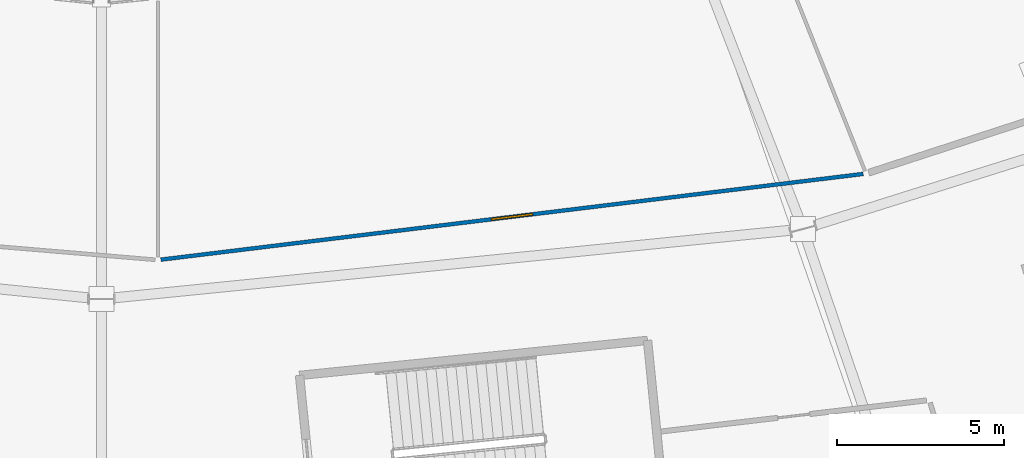
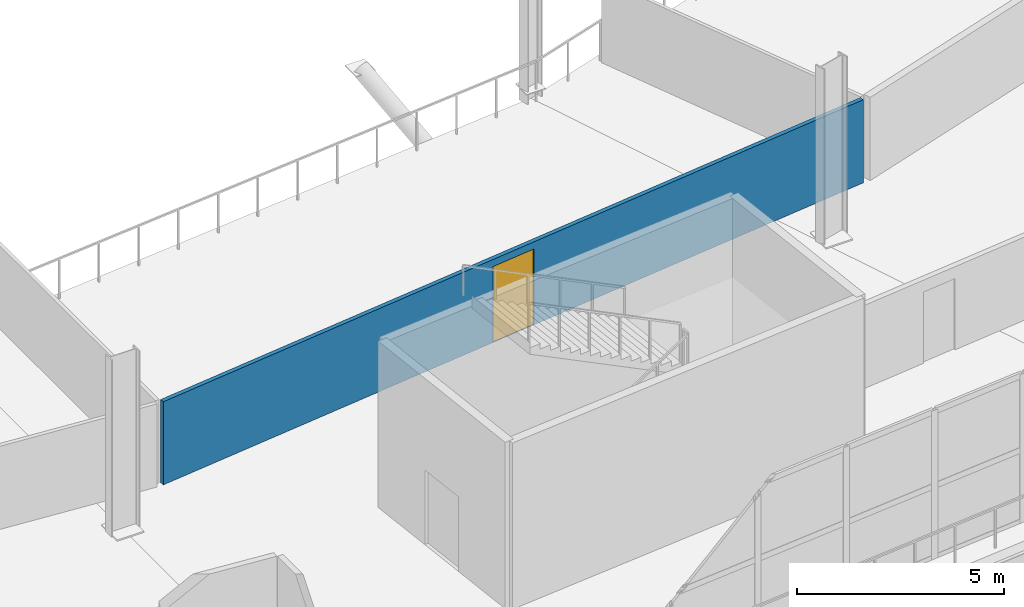
# One storey, part 118 of 168: 1 door, 1 wall, 1 opening.
"""IFC4 building model written with IfcOpenShell, lengths in metres."""

from ifc_helpers import new_model, si_unit, direction, frame, frame_2d, origin, place, context, subcontext, project, spatial, rectangle, extrude, material, layer, layer_set, type_object, element, fill, save


model = new_model("IFC4")

# Units and contexts
model_context = context("Model", 3, precision=1e-05, world=origin(), true_north=direction((0.0, 1.0)))
body_context = subcontext(model_context, "Body", "Model", "MODEL_VIEW")
ifc_project = project(units=[si_unit("LENGTHUNIT", "METRE"), si_unit("AREAUNIT", "SQUARE_METRE"), si_unit("VOLUMEUNIT", "CUBIC_METRE"), si_unit("PLANEANGLEUNIT", "RADIAN"), si_unit("MASSUNIT", "GRAM", prefix="KILO")], contexts=[model_context])

# Site, building, storey
site_placement = place(None, origin())
site = spatial("IfcSite", under=ifc_project, at=site_placement, CompositionType="ELEMENT")
building_placement = place(site_placement, origin())
building = spatial("IfcBuilding", under=site, at=building_placement, Name="Zlatoyarsky Gate Stadium", CompositionType="ELEMENT")
storey_placement = place(building_placement, frame((0.0, 0.0, 15.60009765625)))
storey = spatial("IfcBuildingStorey", under=building, at=storey_placement, Name="L03", CompositionType="ELEMENT", Elevation=15.60009765625)

# Wall, opening, door
ifc_material_1 = material(Name="Anodised aluminium acoustic operable wall", Category="aluminium")
ifc_layer = layer(ifc_material_1, 0.114990234375)
ifc_layer_set = layer_set([ifc_layer], Name="Anodised aluminium acoustic operable wall")
wall_type = type_object("IfcWallType", Name="ACOUSTIC OPERABLE SUITE WALL 115", PredefinedType="MOVABLE", material=ifc_layer_set)
wall_placement = place(storey_placement, frame((112.77587890625, 19.67919921875, 0.0), z_axis=(0.0, 0.0, 1.0), x_axis=(0.992637076034, 0.121126525924, 0.0)))
wall = element("IfcWall", 1, at=wall_placement, inside=storey, type_object=wall_type, Name="L03 interior partition PRT-L03-ICC-18", PredefinedType="MOVABLE", context=body_context, shape_type="SweptSolid", body=[
    extrude(rectangle(XDim=21.1435546875, YDim=0.114990234375, at=frame_2d((10.57177734375, 0.0))), origin(), (0.0, 0.0, 1.0), 2.449951171875),
])
opening_placement = place(wall_placement, frame((9.95166015625, 0.0, 0.0)))
opening = element("IfcOpeningElement", 2, at=opening_placement, cuts=wall, Name="Opening D-L03-438", PredefinedType="OPENING", context=body_context, shape_type="SweptSolid", body=[
    extrude(rectangle(XDim=1.239990234375, YDim=2.239990234375, at=frame_2d((0.6201171875, 1.1201171875))), frame((0.0, 0.0673828125, 0.0), z_axis=(0.0, -1.0, 0.0), x_axis=(1.0, 0.0, 0.0)), (0.0, 0.0, 1.0), 0.135009765625),
])
ifc_material_2 = material(Name="Solid-core oak veneer acoustic door", Category="wood")
door_type = type_object("IfcDoorType", Name="ACOUSTIC INTERIOR DOOR 1240X2240", OperationType="NOTDEFINED", PredefinedType="DOOR", material=ifc_material_2)
door_placement = place(opening_placement, origin())
door = element("IfcDoor", 3, at=door_placement, inside=storey, type_object=door_type, Name="L03 room door D-L03-438", OperationType="SINGLE_SWING_RIGHT", OverallHeight=2.239990234375, OverallWidth=1.239990234375, PredefinedType="DOOR", context=body_context, shape_type="SweptSolid", body=[
    extrude(rectangle(XDim=1.239990234375, YDim=2.239990234375, at=frame_2d((0.6201171875, 1.1201171875))), frame((0.0, 0.02490234375, 0.0), z_axis=(0.0, -1.0, 0.0), x_axis=(1.0, 0.0, 0.0)), (0.0, 0.0, 1.0), 0.050048828125),
])
fill(opening, door)

save(model, "model.ifc")
